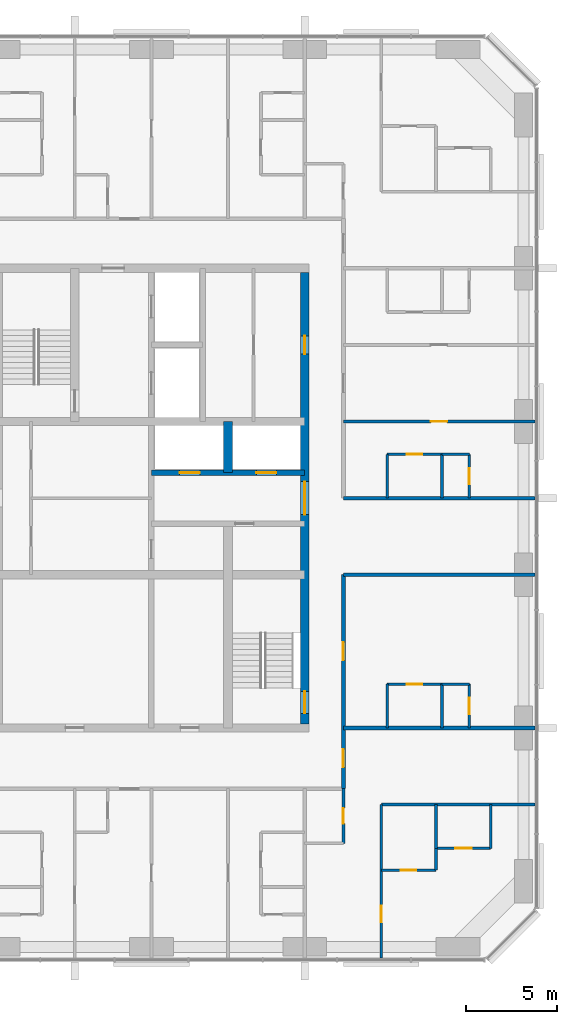
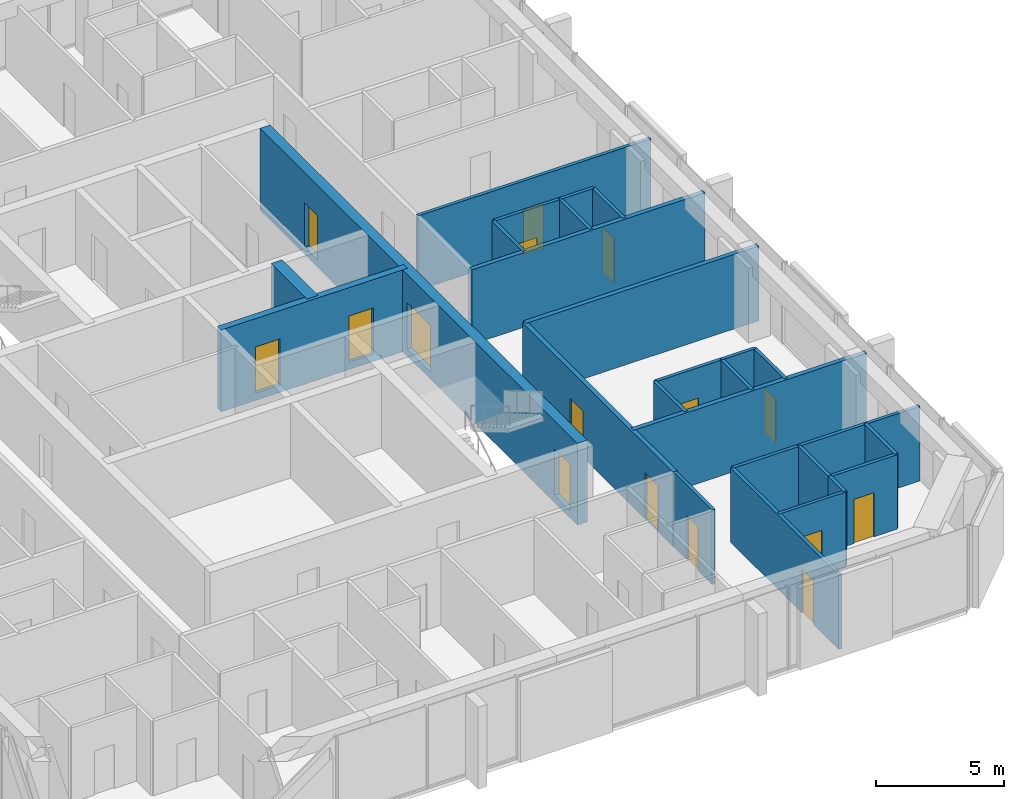
# One storey, part 9 of 13: 26 walls, 16 doors, 16 openings.
"""IFC4 building model written with IfcOpenShell, lengths in metres."""

from ifc_helpers import new_model, si_unit, direction, frame, frame_2d, origin, place, context, subcontext, project, spatial, rectangle, extrude, material, layer, layer_set, type_object, element, fill, save


model = new_model("IFC4")

# Units and contexts
model_context = context("Model", 3, precision=1e-05, world=origin(), true_north=direction((0.0, 1.0)))
body_context = subcontext(model_context, "Body", "Model", "MODEL_VIEW")
ifc_project = project(units=[si_unit("LENGTHUNIT", "METRE"), si_unit("AREAUNIT", "SQUARE_METRE"), si_unit("VOLUMEUNIT", "CUBIC_METRE"), si_unit("PLANEANGLEUNIT", "RADIAN"), si_unit("MASSUNIT", "GRAM", prefix="KILO")], contexts=[model_context])

# Site, building, storey
site_placement = place(None, origin())
site = spatial("IfcSite", under=ifc_project, at=site_placement, CompositionType="ELEMENT")
building_placement = place(site_placement, origin())
building = spatial("IfcBuilding", under=site, at=building_placement, Name="Dunama Terrace Hotel", CompositionType="ELEMENT")
storey_placement = place(building_placement, frame((0.0, 0.0, 280.199951171875)))
storey = spatial("IfcBuildingStorey", under=building, at=storey_placement, Name="L72", CompositionType="ELEMENT", Elevation=280.199951171875)

# Wall, opening, door
ifc_material_1 = material(Name="Gypsum board partition", Category="masonry")
ifc_layer_1 = layer(ifc_material_1, 0.14990234375)
ifc_layer_set_1 = layer_set([ifc_layer_1], Name="Bathroom partition 150")
wall_type_1 = type_object("IfcWallType", Name="Bathroom partition 150", PredefinedType="PARTITIONING", material=ifc_layer_set_1)
wall_1_placement = place(storey_placement, frame((44.125, 10.47509765625, 0.0), z_axis=(0.0, 0.0, 1.0), x_axis=(0.0, 1.0, 0.0)))
wall_1 = element("IfcWall", 1, at=wall_1_placement, inside=storey, type_object=wall_type_1, Name="Bathroom partition 150 L72", PredefinedType="PARTITIONING", context=body_context, shape_type="SweptSolid", body=[
    extrude(rectangle(XDim=3.0, YDim=0.14990234375, at=frame_2d((1.5, 0.0))), origin(), (0.0, 0.0, 1.0), 3.550048828125),
])
opening_1_placement = place(wall_1_placement, frame((1.074951171875, 0.0, 0.0)))
opening_1 = element("IfcOpeningElement", 2, at=opening_1_placement, cuts=wall_1, Name="Opening L71-72-053", PredefinedType="OPENING", context=body_context, shape_type="SweptSolid", body=[
    extrude(rectangle(XDim=0.85009765625, YDim=2.10009765625, at=frame_2d((0.425048828125, 1.050048828125))), frame((0.0, 0.0849609375, 0.0), z_axis=(0.0, -1.0, 0.0), x_axis=(1.0, 0.0, 0.0)), (0.0, 0.0, 1.0), 0.169921875),
])
ifc_material_2 = material(Name="Timber door with steel frame", Category="steel")
door_type_1 = type_object("IfcDoorType", Name="Bathroom door 850", OperationType="SINGLE_SWING_LEFT", PredefinedType="DOOR", material=ifc_material_2)
door_1_placement = place(opening_1_placement, origin())
door_1 = element("IfcDoor", 3, at=door_1_placement, inside=storey, type_object=door_type_1, Name="Door to powder room L71-72-053, type D2", OperationType="SINGLE_SWING_RIGHT", OverallHeight=2.10009765625, OverallWidth=0.85009765625, PredefinedType="DOOR", context=body_context, shape_type="SweptSolid", body=[
    extrude(rectangle(XDim=0.85009765625, YDim=2.10009765625, at=frame_2d((0.425048828125, 1.050048828125))), frame((0.0, 0.02490234375, 0.0), z_axis=(0.0, -1.0, 0.0), x_axis=(1.0, 0.0, 0.0)), (0.0, 0.0, 1.0), 0.050048828125),
])
fill(opening_1, door_1)

# Walls
wall_2_placement = place(storey_placement, frame((46.52490234375, 16.800048828125, 0.0), z_axis=(0.0, 0.0, 1.0), x_axis=(0.0, 1.0, 0.0)))
element("IfcWall", 4, at=wall_2_placement, inside=storey, type_object=wall_type_1, Name="Bathroom partition 150 L72", PredefinedType="PARTITIONING", context=body_context, shape_type="SweptSolid", body=[
    extrude(rectangle(XDim=2.39990234375, YDim=0.14990234375, at=frame_2d((1.199951171875, 0.0))), origin(), (0.0, 0.0, 1.0), 3.550048828125),
])
wall_3_placement = place(storey_placement, frame((46.52490234375, 29.39990234375, 0.0), z_axis=(0.0, 0.0, 1.0), x_axis=(0.0, 1.0, 0.0)))
element("IfcWall", 5, at=wall_3_placement, inside=storey, type_object=wall_type_1, Name="Bathroom partition 150 L72", PredefinedType="PARTITIONING", context=body_context, shape_type="SweptSolid", body=[
    extrude(rectangle(XDim=2.400146484375, YDim=0.14990234375, at=frame_2d((1.2001953125, 0.0))), origin(), (0.0, 0.0, 1.0), 3.550048828125),
])
wall_4_placement = place(storey_placement, frame((49.199951171875, 9.0, 0.0), z_axis=(0.0, 0.0, 1.0), x_axis=(0.0, 1.0, 0.0)))
element("IfcWall", 6, at=wall_4_placement, inside=storey, type_object=wall_type_1, Name="Bathroom partition 150 L72", PredefinedType="PARTITIONING", context=body_context, shape_type="SweptSolid", body=[
    extrude(rectangle(XDim=1.199951171875, YDim=0.14990234375, at=frame_2d((0.60009765625, 0.0))), origin(), (0.0, 0.0, 1.0), 3.550048828125),
])

# Wall, opening, door
wall_5_placement = place(storey_placement, frame((46.199951171875, 9.0, 0.0), z_axis=(0.0, 0.0, 1.0), x_axis=(1.0, 0.0, 0.0)))
wall_5 = element("IfcWall", 7, at=wall_5_placement, inside=storey, type_object=wall_type_1, Name="Bathroom partition 150 L72", PredefinedType="PARTITIONING", context=body_context, shape_type="SweptSolid", body=[
    extrude(rectangle(XDim=3.0, YDim=0.14990234375, at=frame_2d((1.5, 0.0))), origin(), (0.0, 0.0, 1.0), 3.550048828125),
])
opening_2_placement = place(wall_5_placement, frame((1.074951171875, 0.0, 0.0)))
opening_2 = element("IfcOpeningElement", 8, at=opening_2_placement, cuts=wall_5, Name="Opening L71-72-055", PredefinedType="OPENING", context=body_context, shape_type="SweptSolid", body=[
    extrude(rectangle(XDim=0.85009765625, YDim=2.10009765625, at=frame_2d((0.425048828125, 1.050048828125))), frame((0.0, 0.0849609375, 0.0), z_axis=(0.0, -1.0, 0.0), x_axis=(1.0, 0.0, 0.0)), (0.0, 0.0, 1.0), 0.169921875),
])
door_2_placement = place(opening_2_placement, origin())
door_2 = element("IfcDoor", 9, at=door_2_placement, inside=storey, type_object=door_type_1, Name="Door to en-suite bathroom L71-72-055, type D2", OperationType="SINGLE_SWING_RIGHT", OverallHeight=2.10009765625, OverallWidth=0.85009765625, PredefinedType="DOOR", context=body_context, shape_type="SweptSolid", body=[
    extrude(rectangle(XDim=0.85009765625, YDim=2.10009765625, at=frame_2d((0.425048828125, 1.050048828125))), frame((0.0, 0.02490234375, 0.0), z_axis=(0.0, -1.0, 0.0), x_axis=(1.0, 0.0, 0.0)), (0.0, 0.0, 1.0), 0.050048828125),
])
fill(opening_2, door_2)

wall_6_placement = place(storey_placement, frame((46.52490234375, 19.199951171875, 0.0), z_axis=(0.0, 0.0, 1.0), x_axis=(1.0, 0.0, 0.0)))
wall_6 = element("IfcWall", 10, at=wall_6_placement, inside=storey, type_object=wall_type_1, Name="Bathroom partition 150 L72", PredefinedType="PARTITIONING", context=body_context, shape_type="SweptSolid", body=[
    extrude(rectangle(XDim=3.0, YDim=0.14990234375, at=frame_2d((1.5, 0.0))), origin(), (0.0, 0.0, 1.0), 3.550048828125),
])
opening_3_placement = place(wall_6_placement, frame((1.074951171875, 0.0, 0.0)))
opening_3 = element("IfcOpeningElement", 11, at=opening_3_placement, cuts=wall_6, Name="Opening L71-72-017", PredefinedType="OPENING", context=body_context, shape_type="SweptSolid", body=[
    extrude(rectangle(XDim=0.85009765625, YDim=2.10009765625, at=frame_2d((0.425048828125, 1.050048828125))), frame((0.0, 0.0849609375, 0.0), z_axis=(0.0, -1.0, 0.0), x_axis=(1.0, 0.0, 0.0)), (0.0, 0.0, 1.0), 0.169921875),
])
door_3_placement = place(opening_3_placement, frame((0.85009765625, 0.0, 0.0), z_axis=(0.0, 0.0, 1.0), x_axis=(-1.0, 0.0, 0.0)))
door_3 = element("IfcDoor", 12, at=door_3_placement, inside=storey, type_object=door_type_1, Name="Door to en-suite bathroom L71-72-017, type D2", OperationType="SINGLE_SWING_LEFT", OverallHeight=2.10009765625, OverallWidth=0.85009765625, PredefinedType="DOOR", context=body_context, shape_type="SweptSolid", body=[
    extrude(rectangle(XDim=0.85009765625, YDim=2.10009765625, at=frame_2d((0.425048828125, 1.050048828125))), frame((0.0, 0.025146484375, 0.0), z_axis=(0.0, -1.0, 0.0), x_axis=(1.0, 0.0, 0.0)), (0.0, 0.0, 1.0), 0.050048828125),
])
fill(opening_3, door_3)

wall_7_placement = place(storey_placement, frame((46.52490234375, 31.800048828125, 0.0), z_axis=(0.0, 0.0, 1.0), x_axis=(1.0, 0.0, 0.0)))
wall_7 = element("IfcWall", 13, at=wall_7_placement, inside=storey, type_object=wall_type_1, Name="Bathroom partition 150 L72", PredefinedType="PARTITIONING", context=body_context, shape_type="SweptSolid", body=[
    extrude(rectangle(XDim=3.0, YDim=0.14990234375, at=frame_2d((1.5, 0.0))), origin(), (0.0, 0.0, 1.0), 3.550048828125),
])
opening_4_placement = place(wall_7_placement, frame((1.074951171875, 0.0, 0.0)))
opening_4 = element("IfcOpeningElement", 14, at=opening_4_placement, cuts=wall_7, Name="Opening L71-72-021", PredefinedType="OPENING", context=body_context, shape_type="SweptSolid", body=[
    extrude(rectangle(XDim=0.85009765625, YDim=2.10009765625, at=frame_2d((0.425048828125, 1.050048828125))), frame((0.0, 0.0849609375, 0.0), z_axis=(0.0, -1.0, 0.0), x_axis=(1.0, 0.0, 0.0)), (0.0, 0.0, 1.0), 0.169921875),
])
door_4_placement = place(opening_4_placement, frame((0.85009765625, 0.0, 0.0), z_axis=(0.0, 0.0, 1.0), x_axis=(-1.0, 0.0, 0.0)))
door_4 = element("IfcDoor", 15, at=door_4_placement, inside=storey, type_object=door_type_1, Name="Door to en-suite bathroom L71-72-021, type D2", OperationType="SINGLE_SWING_LEFT", OverallHeight=2.10009765625, OverallWidth=0.85009765625, PredefinedType="DOOR", context=body_context, shape_type="SweptSolid", body=[
    extrude(rectangle(XDim=0.85009765625, YDim=2.10009765625, at=frame_2d((0.425048828125, 1.050048828125))), frame((0.0, 0.025146484375, 0.0), z_axis=(0.0, -1.0, 0.0), x_axis=(1.0, 0.0, 0.0)), (0.0, 0.0, 1.0), 0.050048828125),
])
fill(opening_4, door_4)

# Wall, openings, doors
ifc_material_3 = material(Name="Concrete C50/60", Category="concrete")
ifc_layer_2 = layer(ifc_material_3, 0.300048828125)
ifc_layer_set_2 = layer_set([ifc_layer_2], Name="Core inner wall 300")
wall_type_2 = type_object("IfcWallType", Name="Core inner wall 300", PredefinedType="SHEAR", material=ifc_layer_set_2)
wall_8_placement = place(storey_placement, frame((33.60009765625, 30.800048828125, -0.349853515625), z_axis=(0.0, 0.0, 1.0), x_axis=(1.0, 0.0, 0.0)))
wall_8 = element("IfcWall", 16, at=wall_8_placement, inside=storey, type_object=wall_type_2, Name="Core inner wall 300 L72", PredefinedType="SHEAR", context=body_context, shape_type="SweptSolid", body=[
    extrude(rectangle(XDim=8.39990234375, YDim=0.300048828125, at=frame_2d((4.199951171875, 0.0))), origin(), (0.0, 0.0, 1.0), 3.89990234375),
])
opening_5_placement = place(wall_8_placement, frame((1.550048828125, 0.0, 0.35009765625)))
opening_5 = element("IfcOpeningElement", 17, at=opening_5_placement, cuts=wall_8, Name="Opening L71-72-003", PredefinedType="OPENING", context=body_context, shape_type="SweptSolid", body=[
    extrude(rectangle(XDim=1.10009765625, YDim=2.199951171875, at=frame_2d((0.550048828125, 1.10009765625))), frame((0.0, 0.159912109375, 0.0), z_axis=(0.0, -1.0, 0.0), x_axis=(1.0, 0.0, 0.0)), (0.0, 0.0, 1.0), 0.320068359375),
])
opening_6_placement = place(wall_8_placement, frame((5.75, 0.0, 0.35009765625)))
opening_6 = element("IfcOpeningElement", 18, at=opening_6_placement, cuts=wall_8, Name="Opening L71-72-004", PredefinedType="OPENING", context=body_context, shape_type="SweptSolid", body=[
    extrude(rectangle(XDim=1.10009765625, YDim=2.199951171875, at=frame_2d((0.550048828125, 1.10009765625))), frame((0.0, 0.159912109375, 0.0), z_axis=(0.0, -1.0, 0.0), x_axis=(1.0, 0.0, 0.0)), (0.0, 0.0, 1.0), 0.320068359375),
])
ifc_material_4 = material(Name="Stainless steel lift door", Category="steel")
door_type_2 = type_object("IfcDoorType", Name="Lift landing door 1100", OperationType="DOUBLE_DOOR_SLIDING", PredefinedType="DOOR", material=ifc_material_4)
door_5_placement = place(opening_5_placement, origin())
door_5 = element("IfcDoor", 19, at=door_5_placement, inside=storey, type_object=door_type_2, Name="Landing door PD1 L71-72-003, type LD1", OperationType="DOUBLE_DOOR_SLIDING", OverallHeight=2.199951171875, OverallWidth=1.10009765625, PredefinedType="DOOR", context=body_context, shape_type="SweptSolid", body=[
    extrude(rectangle(XDim=1.10009765625, YDim=2.199951171875, at=frame_2d((0.550048828125, 1.10009765625))), frame((0.0, 0.02490234375, 0.0), z_axis=(0.0, -1.0, 0.0), x_axis=(1.0, 0.0, 0.0)), (0.0, 0.0, 1.0), 0.050048828125),
])
fill(opening_5, door_5)
door_6_placement = place(opening_6_placement, origin())
door_6 = element("IfcDoor", 20, at=door_6_placement, inside=storey, type_object=door_type_2, Name="Landing door PD2 L71-72-004, type LD1", OperationType="DOUBLE_DOOR_SLIDING", OverallHeight=2.199951171875, OverallWidth=1.10009765625, PredefinedType="DOOR", context=body_context, shape_type="SweptSolid", body=[
    extrude(rectangle(XDim=1.10009765625, YDim=2.199951171875, at=frame_2d((0.550048828125, 1.10009765625))), frame((0.0, 0.02490234375, 0.0), z_axis=(0.0, -1.0, 0.0), x_axis=(1.0, 0.0, 0.0)), (0.0, 0.0, 1.0), 0.050048828125),
])
fill(opening_6, door_6)

# Wall
ifc_material_5 = material(Name="Concrete C50/60", Category="concrete")
ifc_layer_3 = layer(ifc_material_5, 0.5)
ifc_layer_set_3 = layer_set([ifc_layer_3], Name="Core inner wall 500")
wall_type_3 = type_object("IfcWallType", Name="Core inner wall 500", PredefinedType="SHEAR", material=ifc_layer_set_3)
wall_9_placement = place(storey_placement, frame((37.800048828125, 30.800048828125, -0.349853515625), z_axis=(0.0, 0.0, 1.0), x_axis=(0.0, 1.0, 0.0)))
element("IfcWall", 21, at=wall_9_placement, inside=storey, type_object=wall_type_3, Name="Core inner wall 500 L72", PredefinedType="SHEAR", context=body_context, shape_type="SweptSolid", body=[
    extrude(rectangle(XDim=2.800048828125, YDim=0.5, at=frame_2d((1.39990234375, 0.0))), origin(), (0.0, 0.0, 1.0), 3.89990234375),
])

# Wall, openings, doors
ifc_material_6 = material(Name="Concrete C50/60", Category="concrete")
ifc_layer_4 = layer(ifc_material_6, 0.449951171875)
ifc_layer_set_4 = layer_set([ifc_layer_4], Name="Core wall 450")
wall_type_4 = type_object("IfcWallType", Name="Core wall 450", PredefinedType="SHEAR", material=ifc_layer_set_4)
wall_10_placement = place(storey_placement, frame((42.0, 17.02490234375, -0.349853515625), z_axis=(0.0, 0.0, 1.0), x_axis=(0.0, 1.0, 0.0)))
wall_10 = element("IfcWall", 22, at=wall_10_placement, inside=storey, type_object=wall_type_4, Name="Core wall east L72", PredefinedType="SHEAR", context=body_context, shape_type="SweptSolid", body=[
    extrude(rectangle(XDim=24.75, YDim=0.449951171875, at=frame_2d((12.375, 0.0))), origin(), (0.0, 0.0, 1.0), 3.89990234375),
])
opening_7_placement = place(wall_10_placement, frame((0.574951171875, 0.0, 0.35009765625)))
opening_7 = element("IfcOpeningElement", 23, at=opening_7_placement, cuts=wall_10, Name="Opening L71-72-002", PredefinedType="OPENING", context=body_context, shape_type="SweptSolid", body=[
    extrude(rectangle(XDim=1.199951171875, YDim=2.199951171875, at=frame_2d((0.60009765625, 1.10009765625))), frame((0.0, 0.23486328125, 0.0), z_axis=(0.0, -1.0, 0.0), x_axis=(1.0, 0.0, 0.0)), (0.0, 0.0, 1.0), 0.469970703125),
])
opening_8_placement = place(wall_10_placement, frame((11.47509765625, 0.0, 0.35009765625)))
opening_8 = element("IfcOpeningElement", 24, at=opening_8_placement, cuts=wall_10, Name="Opening L71-72-072", PredefinedType="OPENING", context=body_context, shape_type="SweptSolid", body=[
    extrude(rectangle(XDim=1.800048828125, YDim=2.199951171875, at=frame_2d((0.89990234375, 1.10009765625))), frame((0.0, 0.23486328125, 0.0), z_axis=(0.0, -1.0, 0.0), x_axis=(1.0, 0.0, 0.0)), (0.0, 0.0, 1.0), 0.469970703125),
])
opening_9_placement = place(wall_10_placement, frame((20.27490234375, 0.0, 0.35009765625)))
opening_9 = element("IfcOpeningElement", 25, at=opening_9_placement, cuts=wall_10, Name="Opening L71-72-074", PredefinedType="OPENING", context=body_context, shape_type="SweptSolid", body=[
    extrude(rectangle(XDim=1.0, YDim=2.10009765625, at=frame_2d((0.5, 1.050048828125))), frame((0.0, 0.23486328125, 0.0), z_axis=(0.0, -1.0, 0.0), x_axis=(1.0, 0.0, 0.0)), (0.0, 0.0, 1.0), 0.469970703125),
])
ifc_material_7 = material(Name="Timber door with steel frame", Category="steel")
door_type_3 = type_object("IfcDoorType", Name="Lift lobby double door 1800", OperationType="DOUBLE_DOOR_DOUBLE_SWING", PredefinedType="DOOR", material=ifc_material_7)
door_7_placement = place(opening_8_placement, origin())
door_7 = element("IfcDoor", 26, at=door_7_placement, inside=storey, type_object=door_type_3, Name="Door to lift lobby L71-72-072, type D3", OperationType="DOUBLE_DOOR_DOUBLE_SWING", OverallHeight=2.199951171875, OverallWidth=1.800048828125, PredefinedType="DOOR", context=body_context, shape_type="SweptSolid", body=[
    extrude(rectangle(XDim=1.800048828125, YDim=2.199951171875, at=frame_2d((0.89990234375, 1.10009765625))), frame((0.0, 0.02490234375, 0.0), z_axis=(0.0, -1.0, 0.0), x_axis=(1.0, 0.0, 0.0)), (0.0, 0.0, 1.0), 0.050048828125),
])
fill(opening_8, door_7)
ifc_material_8 = material(Name="Timber door with steel frame", Category="steel")
door_type_4 = type_object("IfcDoorType", Name="Service door 1000", OperationType="SINGLE_SWING_LEFT", PredefinedType="DOOR", material=ifc_material_8)
door_8_placement = place(opening_9_placement, origin())
door_8 = element("IfcDoor", 27, at=door_8_placement, inside=storey, type_object=door_type_4, Name="Door to guest pantry L71-72-074, type D7", OperationType="SINGLE_SWING_LEFT", OverallHeight=2.10009765625, OverallWidth=1.0, PredefinedType="DOOR", context=body_context, shape_type="SweptSolid", body=[
    extrude(rectangle(XDim=1.0, YDim=2.10009765625, at=frame_2d((0.5, 1.050048828125))), frame((0.0, 0.02490234375, 0.0), z_axis=(0.0, -1.0, 0.0), x_axis=(1.0, 0.0, 0.0)), (0.0, 0.0, 1.0), 0.050048828125),
])
fill(opening_9, door_8)
ifc_material_9 = material(Name="Timber door with steel frame", Category="steel")
door_type_5 = type_object("IfcDoorType", Name="Stair door 1200", OperationType="SINGLE_SWING_LEFT", PredefinedType="DOOR", material=ifc_material_9)
door_9_placement = place(opening_7_placement, origin())
door_9 = element("IfcDoor", 28, at=door_9_placement, inside=storey, type_object=door_type_5, Name="Stair door ST2 L71-72-002, type D5", OperationType="SINGLE_SWING_LEFT", OverallHeight=2.199951171875, OverallWidth=1.199951171875, PredefinedType="DOOR", context=body_context, shape_type="SweptSolid", body=[
    extrude(rectangle(XDim=1.199951171875, YDim=2.199951171875, at=frame_2d((0.60009765625, 1.10009765625))), frame((0.0, 0.02490234375, 0.0), z_axis=(0.0, -1.0, 0.0), x_axis=(1.0, 0.0, 0.0)), (0.0, 0.0, 1.0), 0.050048828125),
])
fill(opening_7, door_9)

# Wall
ifc_material_10 = material(Name="Concrete blockwork", Category="masonry")
ifc_layer_5 = layer(ifc_material_10, 0.199951171875)
ifc_layer_set_5 = layer_set([ifc_layer_5], Name="Corridor partition 200")
wall_type_5 = type_object("IfcWallType", Name="Corridor partition 200", PredefinedType="PARTITIONING", material=ifc_layer_set_5)
wall_11_placement = place(storey_placement, frame((44.125, 29.39990234375, 0.0), z_axis=(0.0, 0.0, 1.0), x_axis=(1.0, 0.0, 0.0)))
element("IfcWall", 29, at=wall_11_placement, inside=storey, type_object=wall_type_5, Name="Corridor partition 200 L72", PredefinedType="PARTITIONING", context=body_context, shape_type="SweptSolid", body=[
    extrude(rectangle(XDim=10.492919921875, YDim=0.199951171875, at=frame_2d((5.24658203125, 0.0))), origin(), (0.0, 0.0, 1.0), 3.550048828125),
])

# Wall, openings, doors
wall_12_placement = place(storey_placement, frame((44.125, 25.199951171875, 0.0), z_axis=(0.0, 0.0, 1.0), x_axis=(0.0, -1.0, 0.0)))
wall_12 = element("IfcWall", 30, at=wall_12_placement, inside=storey, type_object=wall_type_5, Name="Corridor partition 200 L72", PredefinedType="PARTITIONING", context=body_context, shape_type="SweptSolid", body=[
    extrude(rectangle(XDim=11.724853515625, YDim=0.199951171875, at=frame_2d((5.8623046875, 0.0))), origin(), (0.0, 0.0, 1.0), 3.550048828125),
])
opening_10_placement = place(wall_12_placement, frame((3.699951171875, 0.0, 0.0)))
opening_10 = element("IfcOpeningElement", 31, at=opening_10_placement, cuts=wall_12, Name="Opening L71-72-016", PredefinedType="OPENING", context=body_context, shape_type="SweptSolid", body=[
    extrude(rectangle(XDim=1.0, YDim=2.199951171875, at=frame_2d((0.5, 1.10009765625))), frame((0.0, 0.10986328125, 0.0), z_axis=(0.0, -1.0, 0.0), x_axis=(1.0, 0.0, 0.0)), (0.0, 0.0, 1.0), 0.219970703125),
])
opening_11_placement = place(wall_12_placement, frame((9.56298828125, 0.0, 0.0)))
opening_11 = element("IfcOpeningElement", 32, at=opening_11_placement, cuts=wall_12, Name="Opening L71-72-052", PredefinedType="OPENING", context=body_context, shape_type="SweptSolid", body=[
    extrude(rectangle(XDim=1.0, YDim=2.199951171875, at=frame_2d((0.5, 1.10009765625))), frame((0.0, 0.10986328125, 0.0), z_axis=(0.0, -1.0, 0.0), x_axis=(1.0, 0.0, 0.0)), (0.0, 0.0, 1.0), 0.219970703125),
])
ifc_material_11 = material(Name="Timber door with steel frame", Category="steel")
door_type_6 = type_object("IfcDoorType", Name="Guest room door 1000", OperationType="SINGLE_SWING_LEFT", PredefinedType="DOOR", material=ifc_material_11)
door_10_placement = place(opening_10_placement, origin())
door_10 = element("IfcDoor", 33, at=door_10_placement, inside=storey, type_object=door_type_6, Name="Door to junior suite L71-72-016, type D1", OperationType="SINGLE_SWING_RIGHT", OverallHeight=2.199951171875, OverallWidth=1.0, PredefinedType="DOOR", context=body_context, shape_type="SweptSolid", body=[
    extrude(rectangle(XDim=1.0, YDim=2.199951171875, at=frame_2d((0.5, 1.10009765625))), frame((0.0, 0.02490234375, 0.0), z_axis=(0.0, -1.0, 0.0), x_axis=(1.0, 0.0, 0.0)), (0.0, 0.0, 1.0), 0.050048828125),
])
fill(opening_10, door_10)
door_11_placement = place(opening_11_placement, origin())
door_11 = element("IfcDoor", 34, at=door_11_placement, inside=storey, type_object=door_type_6, Name="Door to grand corner suite living room L71-72-052, type D1", OperationType="SINGLE_SWING_RIGHT", OverallHeight=2.199951171875, OverallWidth=1.0, PredefinedType="DOOR", context=body_context, shape_type="SweptSolid", body=[
    extrude(rectangle(XDim=1.0, YDim=2.199951171875, at=frame_2d((0.5, 1.10009765625))), frame((0.0, 0.02490234375, 0.0), z_axis=(0.0, -1.0, 0.0), x_axis=(1.0, 0.0, 0.0)), (0.0, 0.0, 1.0), 0.050048828125),
])
fill(opening_11, door_11)

# Walls
wall_13_placement = place(storey_placement, frame((54.617919921875, 25.199951171875, 0.0), z_axis=(0.0, 0.0, 1.0), x_axis=(-1.0, 0.0, 0.0)))
element("IfcWall", 35, at=wall_13_placement, inside=storey, type_object=wall_type_5, Name="Corridor partition 200 L72", PredefinedType="PARTITIONING", context=body_context, shape_type="SweptSolid", body=[
    extrude(rectangle(XDim=10.492919921875, YDim=0.199951171875, at=frame_2d((5.24658203125, 0.0))), origin(), (0.0, 0.0, 1.0), 3.550048828125),
])
ifc_material_12 = material(Name="Concrete blockwork", Category="masonry")
ifc_layer_6 = layer(ifc_material_12, 0.199951171875)
ifc_layer_set_6 = layer_set([ifc_layer_6], Name="Party wall 200")
wall_type_6 = type_object("IfcWallType", Name="Party wall 200", PredefinedType="PARTITIONING", material=ifc_layer_set_6)
wall_14_placement = place(storey_placement, frame((44.125, 16.800048828125, 0.0), z_axis=(0.0, 0.0, 1.0), x_axis=(1.0, 0.0, 0.0)))
element("IfcWall", 36, at=wall_14_placement, inside=storey, type_object=wall_type_6, Name="Party wall 200 L72", PredefinedType="PARTITIONING", context=body_context, shape_type="SweptSolid", body=[
    extrude(rectangle(XDim=10.492919921875, YDim=0.199951171875, at=frame_2d((5.24658203125, 0.0))), origin(), (0.0, 0.0, 1.0), 3.550048828125),
])

# Wall, opening, door
ifc_material_13 = material(Name="Gypsum board partition", Category="masonry")
ifc_layer_7 = layer(ifc_material_13, 0.14990234375)
ifc_layer_set_7 = layer_set([ifc_layer_7], Name="Room partition 150")
wall_type_7 = type_object("IfcWallType", Name="Room partition 150", PredefinedType="PARTITIONING", material=ifc_layer_set_7)
wall_15_placement = place(storey_placement, frame((46.199951171875, 4.181884765625, 0.0), z_axis=(0.0, 0.0, 1.0), x_axis=(0.0, 1.0, 0.0)))
wall_15 = element("IfcWall", 37, at=wall_15_placement, inside=storey, type_object=wall_type_7, Name="Room partition 150 L72", PredefinedType="PARTITIONING", context=body_context, shape_type="SweptSolid", body=[
    extrude(rectangle(XDim=8.418212890625, YDim=0.14990234375, at=frame_2d((4.208984375, 0.0))), origin(), (0.0, 0.0, 1.0), 3.550048828125),
])
opening_12_placement = place(wall_15_placement, frame((1.968017578125, 0.0, 0.0)))
opening_12 = element("IfcOpeningElement", 38, at=opening_12_placement, cuts=wall_15, Name="Opening L71-72-054", PredefinedType="OPENING", context=body_context, shape_type="SweptSolid", body=[
    extrude(rectangle(XDim=0.89990234375, YDim=2.10009765625, at=frame_2d((0.449951171875, 1.050048828125))), frame((0.0, 0.0849609375, 0.0), z_axis=(0.0, -1.0, 0.0), x_axis=(1.0, 0.0, 0.0)), (0.0, 0.0, 1.0), 0.169921875),
])
ifc_material_14 = material(Name="Timber door with steel frame", Category="steel")
door_type_7 = type_object("IfcDoorType", Name="Suite internal door 900", OperationType="SINGLE_SWING_LEFT", PredefinedType="DOOR", material=ifc_material_14)
door_12_placement = place(opening_12_placement, frame((0.89990234375, 0.0, 0.0), z_axis=(0.0, 0.0, 1.0), x_axis=(-1.0, 0.0, 0.0)))
door_12 = element("IfcDoor", 39, at=door_12_placement, inside=storey, type_object=door_type_7, Name="Door to grand corner suite bedroom L71-72-054, type D16", OperationType="SINGLE_SWING_LEFT", OverallHeight=2.10009765625, OverallWidth=0.89990234375, PredefinedType="DOOR", context=body_context, shape_type="SweptSolid", body=[
    extrude(rectangle(XDim=0.89990234375, YDim=2.10009765625, at=frame_2d((0.449951171875, 1.050048828125))), frame((0.0, 0.025146484375, 0.0), z_axis=(0.0, -1.0, 0.0), x_axis=(1.0, 0.0, 0.0)), (0.0, 0.0, 1.0), 0.050048828125),
])
fill(opening_12, door_12)

# Walls
wall_16_placement = place(storey_placement, frame((49.199951171875, 10.199951171875, 0.0), z_axis=(0.0, 0.0, 1.0), x_axis=(0.0, 1.0, 0.0)))
element("IfcWall", 40, at=wall_16_placement, inside=storey, type_object=wall_type_7, Name="Room partition 150 L72", PredefinedType="PARTITIONING", context=body_context, shape_type="SweptSolid", body=[
    extrude(rectangle(XDim=2.400146484375, YDim=0.14990234375, at=frame_2d((1.2001953125, 0.0))), origin(), (0.0, 0.0, 1.0), 3.550048828125),
])
wall_17_placement = place(storey_placement, frame((49.52490234375, 16.800048828125, 0.0), z_axis=(0.0, 0.0, 1.0), x_axis=(0.0, 1.0, 0.0)))
element("IfcWall", 41, at=wall_17_placement, inside=storey, type_object=wall_type_7, Name="Room partition 150 L72", PredefinedType="PARTITIONING", context=body_context, shape_type="SweptSolid", body=[
    extrude(rectangle(XDim=2.39990234375, YDim=0.14990234375, at=frame_2d((1.199951171875, 0.0))), origin(), (0.0, 0.0, 1.0), 3.550048828125),
])
wall_18_placement = place(storey_placement, frame((49.52490234375, 29.39990234375, 0.0), z_axis=(0.0, 0.0, 1.0), x_axis=(0.0, 1.0, 0.0)))
element("IfcWall", 42, at=wall_18_placement, inside=storey, type_object=wall_type_7, Name="Room partition 150 L72", PredefinedType="PARTITIONING", context=body_context, shape_type="SweptSolid", body=[
    extrude(rectangle(XDim=2.400146484375, YDim=0.14990234375, at=frame_2d((1.2001953125, 0.0))), origin(), (0.0, 0.0, 1.0), 3.550048828125),
])

# Wall, opening, door
wall_19_placement = place(storey_placement, frame((51.02490234375, 16.800048828125, 0.0), z_axis=(0.0, 0.0, 1.0), x_axis=(0.0, 1.0, 0.0)))
wall_19 = element("IfcWall", 43, at=wall_19_placement, inside=storey, type_object=wall_type_7, Name="Room partition 150 L72", PredefinedType="PARTITIONING", context=body_context, shape_type="SweptSolid", body=[
    extrude(rectangle(XDim=2.39990234375, YDim=0.14990234375, at=frame_2d((1.199951171875, 0.0))), origin(), (0.0, 0.0, 1.0), 3.550048828125),
])
opening_13_placement = place(wall_19_placement, frame((0.75, 0.0, 0.0)))
opening_13 = element("IfcOpeningElement", 44, at=opening_13_placement, cuts=wall_19, Name="Opening L71-72-018", PredefinedType="OPENING", context=body_context, shape_type="SweptSolid", body=[
    extrude(rectangle(XDim=0.89990234375, YDim=2.10009765625, at=frame_2d((0.449951171875, 1.050048828125))), frame((0.0, 0.0849609375, 0.0), z_axis=(0.0, -1.0, 0.0), x_axis=(1.0, 0.0, 0.0)), (0.0, 0.0, 1.0), 0.169921875),
])
door_13_placement = place(opening_13_placement, origin())
door_13 = element("IfcDoor", 45, at=door_13_placement, inside=storey, type_object=door_type_7, Name="Door to walk-in wardrobe L71-72-018, type D16", OperationType="SINGLE_SWING_LEFT", OverallHeight=2.10009765625, OverallWidth=0.89990234375, PredefinedType="DOOR", context=body_context, shape_type="SweptSolid", body=[
    extrude(rectangle(XDim=0.89990234375, YDim=2.10009765625, at=frame_2d((0.449951171875, 1.050048828125))), frame((0.0, 0.02490234375, 0.0), z_axis=(0.0, -1.0, 0.0), x_axis=(1.0, 0.0, 0.0)), (0.0, 0.0, 1.0), 0.050048828125),
])
fill(opening_13, door_13)

wall_20_placement = place(storey_placement, frame((51.02490234375, 29.39990234375, 0.0), z_axis=(0.0, 0.0, 1.0), x_axis=(0.0, 1.0, 0.0)))
wall_20 = element("IfcWall", 46, at=wall_20_placement, inside=storey, type_object=wall_type_7, Name="Room partition 150 L72", PredefinedType="PARTITIONING", context=body_context, shape_type="SweptSolid", body=[
    extrude(rectangle(XDim=2.400146484375, YDim=0.14990234375, at=frame_2d((1.2001953125, 0.0))), origin(), (0.0, 0.0, 1.0), 3.550048828125),
])
opening_14_placement = place(wall_20_placement, frame((0.75, 0.0, 0.0)))
opening_14 = element("IfcOpeningElement", 47, at=opening_14_placement, cuts=wall_20, Name="Opening L71-72-022", PredefinedType="OPENING", context=body_context, shape_type="SweptSolid", body=[
    extrude(rectangle(XDim=0.89990234375, YDim=2.10009765625, at=frame_2d((0.449951171875, 1.050048828125))), frame((0.0, 0.0849609375, 0.0), z_axis=(0.0, -1.0, 0.0), x_axis=(1.0, 0.0, 0.0)), (0.0, 0.0, 1.0), 0.169921875),
])
door_14_placement = place(opening_14_placement, origin())
door_14 = element("IfcDoor", 48, at=door_14_placement, inside=storey, type_object=door_type_7, Name="Door to walk-in wardrobe L71-72-022, type D16", OperationType="SINGLE_SWING_LEFT", OverallHeight=2.10009765625, OverallWidth=0.89990234375, PredefinedType="DOOR", context=body_context, shape_type="SweptSolid", body=[
    extrude(rectangle(XDim=0.89990234375, YDim=2.10009765625, at=frame_2d((0.449951171875, 1.050048828125))), frame((0.0, 0.02490234375, 0.0), z_axis=(0.0, -1.0, 0.0), x_axis=(1.0, 0.0, 0.0)), (0.0, 0.0, 1.0), 0.050048828125),
])
fill(opening_14, door_14)

# Wall
wall_21_placement = place(storey_placement, frame((52.199951171875, 10.199951171875, 0.0), z_axis=(0.0, 0.0, 1.0), x_axis=(0.0, 1.0, 0.0)))
element("IfcWall", 49, at=wall_21_placement, inside=storey, type_object=wall_type_7, Name="Room partition 150 L72", PredefinedType="PARTITIONING", context=body_context, shape_type="SweptSolid", body=[
    extrude(rectangle(XDim=2.400146484375, YDim=0.14990234375, at=frame_2d((1.2001953125, 0.0))), origin(), (0.0, 0.0, 1.0), 3.550048828125),
])

# Wall, opening, door
wall_22_placement = place(storey_placement, frame((49.199951171875, 10.199951171875, 0.0), z_axis=(0.0, 0.0, 1.0), x_axis=(1.0, 0.0, 0.0)))
wall_22 = element("IfcWall", 50, at=wall_22_placement, inside=storey, type_object=wall_type_7, Name="Room partition 150 L72", PredefinedType="PARTITIONING", context=body_context, shape_type="SweptSolid", body=[
    extrude(rectangle(XDim=3.0, YDim=0.14990234375, at=frame_2d((1.5, 0.0))), origin(), (0.0, 0.0, 1.0), 3.550048828125),
])
opening_15_placement = place(wall_22_placement, frame((1.050048828125, 0.0, 0.0)))
opening_15 = element("IfcOpeningElement", 51, at=opening_15_placement, cuts=wall_22, Name="Opening L71-72-056", PredefinedType="OPENING", context=body_context, shape_type="SweptSolid", body=[
    extrude(rectangle(XDim=0.89990234375, YDim=2.10009765625, at=frame_2d((0.449951171875, 1.050048828125))), frame((0.0, 0.0849609375, 0.0), z_axis=(0.0, -1.0, 0.0), x_axis=(1.0, 0.0, 0.0)), (0.0, 0.0, 1.0), 0.169921875),
])
door_15_placement = place(opening_15_placement, origin())
door_15 = element("IfcDoor", 52, at=door_15_placement, inside=storey, type_object=door_type_7, Name="Door to dressing room L71-72-056, type D16", OperationType="SINGLE_SWING_LEFT", OverallHeight=2.10009765625, OverallWidth=0.89990234375, PredefinedType="DOOR", context=body_context, shape_type="SweptSolid", body=[
    extrude(rectangle(XDim=0.89990234375, YDim=2.10009765625, at=frame_2d((0.449951171875, 1.050048828125))), frame((0.0, 0.02490234375, 0.0), z_axis=(0.0, -1.0, 0.0), x_axis=(1.0, 0.0, 0.0)), (0.0, 0.0, 1.0), 0.050048828125),
])
fill(opening_15, door_15)

# Walls
wall_23_placement = place(storey_placement, frame((46.199951171875, 12.60009765625, 0.0), z_axis=(0.0, 0.0, 1.0), x_axis=(1.0, 0.0, 0.0)))
element("IfcWall", 53, at=wall_23_placement, inside=storey, type_object=wall_type_7, Name="Room partition 150 L72", PredefinedType="PARTITIONING", context=body_context, shape_type="SweptSolid", body=[
    extrude(rectangle(XDim=8.41796875, YDim=0.14990234375, at=frame_2d((4.208984375, 0.0))), origin(), (0.0, 0.0, 1.0), 3.550048828125),
])
for number, where, z_axis, x_axis, name in (
    (54, (49.52490234375, 19.199951171875, 0.0), (0.0, 0.0, 1.0), (1.0, 0.0, 0.0), "Room partition 150 L72"),
    (55, (49.52490234375, 31.800048828125, 0.0), (0.0, 0.0, 1.0), (1.0, 0.0, 0.0), "Room partition 150 L72"),
):
    element("IfcWall", number, at=place(storey_placement, frame(where, z_axis=z_axis, x_axis=x_axis)), inside=storey, type_object=wall_type_7, Name=name, PredefinedType="PARTITIONING", context=body_context, shape_type="SweptSolid", body=[
        extrude(rectangle(XDim=1.5, YDim=0.14990234375, at=frame_2d((0.75, 0.0))), origin(), (0.0, 0.0, 1.0), 3.550048828125),
    ])

# Wall, opening, door
wall_24_placement = place(storey_placement, frame((44.125, 33.60009765625, 0.0), z_axis=(0.0, 0.0, 1.0), x_axis=(1.0, 0.0, 0.0)))
wall_24 = element("IfcWall", 56, at=wall_24_placement, inside=storey, type_object=wall_type_7, Name="Room partition 150 L72", PredefinedType="PARTITIONING", context=body_context, shape_type="SweptSolid", body=[
    extrude(rectangle(XDim=10.492919921875, YDim=0.14990234375, at=frame_2d((5.24658203125, 0.0))), origin(), (0.0, 0.0, 1.0), 3.550048828125),
])
opening_16_placement = place(wall_24_placement, frame((4.787109375, 0.0, 0.0)))
opening_16 = element("IfcOpeningElement", 57, at=opening_16_placement, cuts=wall_24, Name="Opening L71-72-020", PredefinedType="OPENING", context=body_context, shape_type="SweptSolid", body=[
    extrude(rectangle(XDim=0.89990234375, YDim=2.10009765625, at=frame_2d((0.449951171875, 1.050048828125))), frame((0.0, 0.0849609375, 0.0), z_axis=(0.0, -1.0, 0.0), x_axis=(1.0, 0.0, 0.0)), (0.0, 0.0, 1.0), 0.169921875),
])
door_16_placement = place(opening_16_placement, frame((0.89990234375, 0.0, 0.0), z_axis=(0.0, 0.0, 1.0), x_axis=(-1.0, 0.0, 0.0)))
door_16 = element("IfcDoor", 58, at=door_16_placement, inside=storey, type_object=door_type_7, Name="Door to two-bedroom suite bedroom L71-72-020, type D16", OperationType="SINGLE_SWING_RIGHT", OverallHeight=2.10009765625, OverallWidth=0.89990234375, PredefinedType="DOOR", context=body_context, shape_type="SweptSolid", body=[
    extrude(rectangle(XDim=0.89990234375, YDim=2.10009765625, at=frame_2d((0.449951171875, 1.050048828125))), frame((0.0, 0.025146484375, 0.0), z_axis=(0.0, -1.0, 0.0), x_axis=(1.0, 0.0, 0.0)), (0.0, 0.0, 1.0), 0.050048828125),
])
fill(opening_16, door_16)

save(model, "model.ifc")
